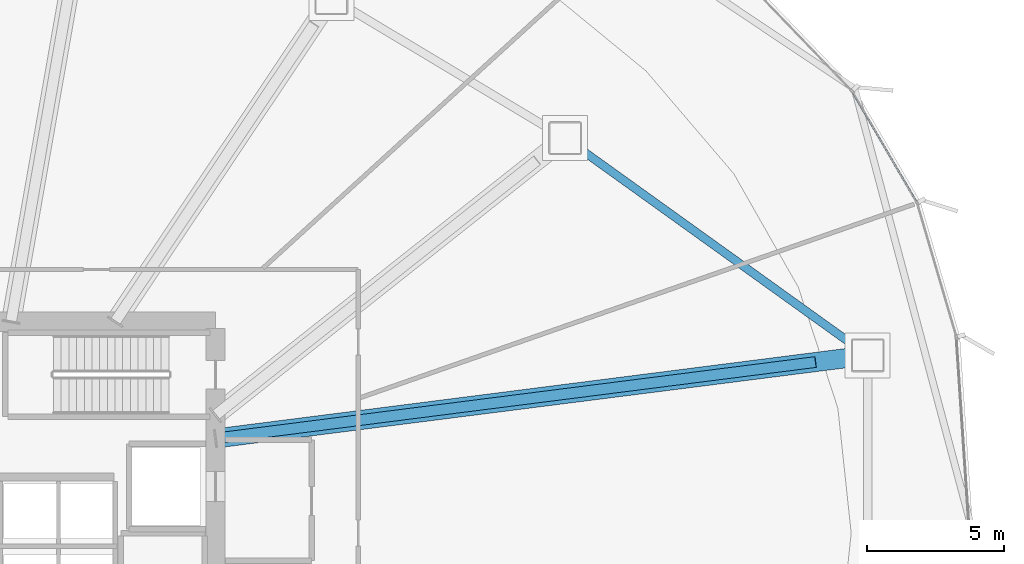
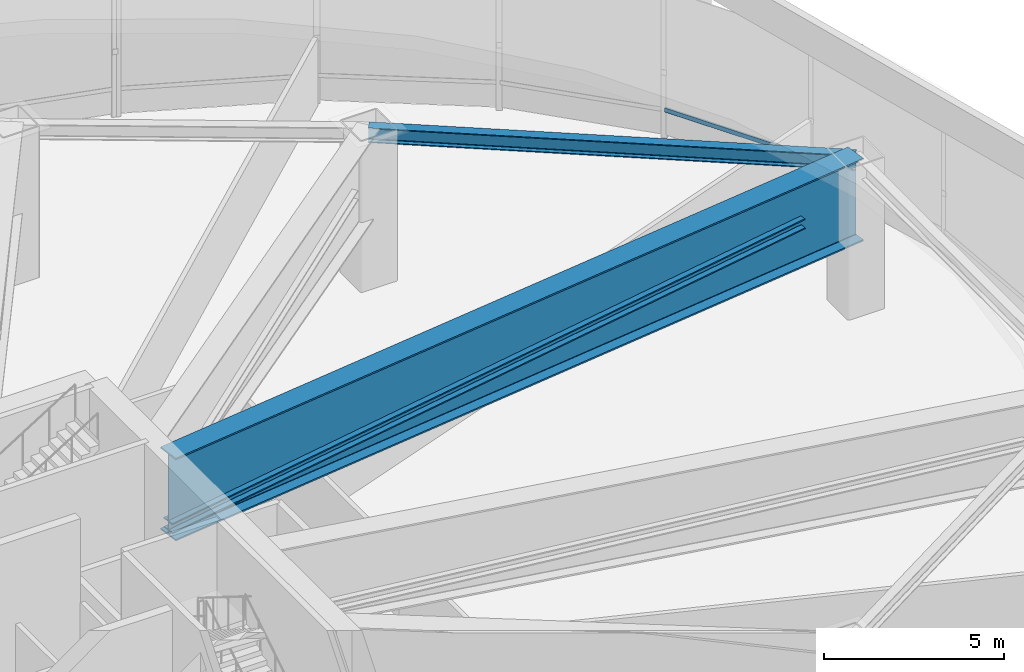
# One storey, part 22 of 36: 2 beams, 2 members, 1 element without a shape of its own.
"""IFC4 building model written with IfcOpenShell, lengths in metres."""

from ifc_helpers import new_model, si_unit, direction, frame, origin, origin_2d, place, context, subcontext, project, spatial, hollow_rectangle, i_section, extrude, source, transform, mapped, material, layer, layer_set, material_profile, profile_set, type_object, element, aggregate, save


model = new_model("IFC4")

# Units and contexts
model_context = context("Model", 3, precision=1e-05, world=origin(), true_north=direction((0.0, 1.0)))
body_context = subcontext(model_context, "Body", "Model", "MODEL_VIEW")
ifc_project = project(units=[si_unit("LENGTHUNIT", "METRE"), si_unit("AREAUNIT", "SQUARE_METRE"), si_unit("VOLUMEUNIT", "CUBIC_METRE"), si_unit("PLANEANGLEUNIT", "RADIAN"), si_unit("MASSUNIT", "GRAM", prefix="KILO"), si_unit("THERMODYNAMICTEMPERATUREUNIT", "KELVIN")], contexts=[model_context])

# Site, building, storey
site_placement = place(None, origin())
site = spatial("IfcSite", under=ifc_project, at=site_placement, CompositionType="ELEMENT")
building_placement = place(site_placement, origin())
building = spatial("IfcBuilding", under=site, at=building_placement, Name="Kethvar Cultural Tower", CompositionType="ELEMENT")
storey_placement = place(building_placement, frame((0.0, 0.0, 24.0)))
storey = spatial("IfcBuildingStorey", under=building, at=storey_placement, Name="L05", CompositionType="ELEMENT", Elevation=24.0)

# Beams
ifc_material_1 = material(Name="Steel S355J2", Category="steel")
ifc_material_profile_1 = material_profile(ifc_material_1, i_section(OverallWidth=0.300048828125, OverallDepth=0.5, WebThickness=0.014404296875, FlangeThickness=0.028076171875, FilletRadius=0.027099609375, at=origin_2d()), Name="Steel S355J2 — HEB500")
ifc_profile_set_1 = profile_set([ifc_material_profile_1], Name="Steel S355J2 — HEB500")
beam_type_1 = type_object("IfcBeamType", Name="BM-SP500", PredefinedType="SPANDREL", material=ifc_profile_set_1)
shared_shape_1 = source(origin(), body_context, "Body", "SweptSolid", [
    extrude(i_section(OverallWidth=0.300048828125, OverallDepth=0.5, WebThickness=0.014404296875, FlangeThickness=0.028076171875, FilletRadius=0.027099609375, at=origin_2d()), origin(), (0.0, 0.0, 1.0), 13.5712890625),
])
beam_1_placement = place(storey_placement, frame((79.362060546875, 34.277099609375, 4.865966796875), z_axis=(-0.812419874207, 0.583072849645, 0.0), x_axis=(-0.583072849645, -0.812419874207, 0.0)))
element("IfcBeam", 1, at=beam_1_placement, inside=storey, type_object=beam_type_1, Name="L05 Podium Ring Beam 01", PredefinedType="SPANDREL", context=body_context, shape_type="MappedRepresentation", body=[
    mapped(shared_shape_1, transform((0.0, 0.0, 0.0), scale=1.0)),
])
ifc_material_2 = material(Name="Steel S460M", Category="steel")
ifc_material_profile_2 = material_profile(ifc_material_2, i_section(OverallWidth=0.699951171875, OverallDepth=2.800048828125, WebThickness=0.031982421875, FlangeThickness=0.050048828125, FilletRadius=0.02392578125, at=origin_2d()), Name="Steel S460M — PG2800x700x50x32")
ifc_profile_set_2 = profile_set([ifc_material_profile_2], Name="Steel S460M — PG2800x700x50x32")
beam_type_2 = type_object("IfcBeamType", Name="BM-TR2800", PredefinedType="BEAM", material=ifc_profile_set_2)
shared_shape_2 = source(origin(), body_context, "Body", "SweptSolid", [
    extrude(i_section(OverallWidth=0.699951171875, OverallDepth=2.800048828125, WebThickness=0.031982421875, FlangeThickness=0.050048828125, FilletRadius=0.02392578125, at=origin_2d()), origin(), (0.0, 0.0, 1.0), 23.9541015625),
])
beam_2_placement = place(storey_placement, frame((55.60009765625, 31.25, 3.716064453125), z_axis=(0.991983004647, 0.126371351546, 0.0), x_axis=(-0.126371351546, 0.991983004647, 0.0)))
element("IfcBeam", 2, at=beam_2_placement, inside=storey, type_object=beam_type_2, Name="L05 Composite Transfer Girder TG-01", PredefinedType="BEAM", context=body_context, shape_type="MappedRepresentation", body=[
    mapped(shared_shape_2, transform((0.0, 0.0, 0.0), scale=1.0)),
])

# Member
ifc_material_profile_3 = material_profile(ifc_material_2, i_section(OverallWidth=0.39306640625, OverallDepth=0.345947265625, WebThickness=0.0244140625, FlangeThickness=0.03759765625, FilletRadius=0.014892578125, at=origin_2d()), Name="Steel S460M — HD400x509")
ifc_profile_set_3 = profile_set([ifc_material_profile_3], Name="Steel S460M — HD400x509")
member_type_1 = type_object("IfcMemberType", Name="MB-TR-DIAG", PredefinedType="BRACE", material=ifc_profile_set_3)
shared_shape_3 = source(origin(), body_context, "Body", "SweptSolid", [
    extrude(i_section(OverallWidth=0.39306640625, OverallDepth=0.345947265625, WebThickness=0.0244140625, FlangeThickness=0.03759765625, FilletRadius=0.014892578125, at=origin_2d()), origin(), (0.0, 0.0, 1.0), 22.0595703125),
])
member_1_placement = place(storey_placement, frame((55.60009765625, 31.25, 2.64990234375), z_axis=(0.991002376025, 0.126245090105, 0.044457484611), x_axis=(-0.126370035035, 0.99198317236, 0.0)))
element("IfcMember", 3, at=member_1_placement, inside=storey, type_object=member_type_1, Name="L05 Transfer Truss Diagonal TD-01", PredefinedType="BRACE", context=body_context, shape_type="MappedRepresentation", body=[
    mapped(shared_shape_3, transform((0.0, 0.0, 0.0), scale=1.0)),
])

# Curtain wall, member
ifc_material_3 = material(Name="Aluminium 6063-T6", Category="aluminium")
ifc_layer = layer(ifc_material_3, 0.179931640625, Name="Aluminium 6063-T6", Category="aluminium")
ifc_layer_set = layer_set([ifc_layer], Name="Aluminium 6063-T6 (180 mm)")
curtain_wall_type = type_object("IfcCurtainWallType", Name="CW-SYS-01-POD", PredefinedType="NOTDEFINED", material=ifc_layer_set)
curtain_wall_placement = place(storey_placement, origin())
curtain_wall = element("IfcCurtainWall", 4, at=curtain_wall_placement, inside=storey, type_object=curtain_wall_type, Name="L05 Curtain Wall Run 01", PredefinedType="NOTDEFINED")
ifc_material_profile_4 = material_profile(ifc_material_3, hollow_rectangle(XDim=0.06005859375, YDim=0.139892578125, WallThickness=0.0048828125, at=origin_2d()), Name="Aluminium 6063-T6 — RHS140x60x5")
ifc_profile_set_4 = profile_set([ifc_material_profile_4], Name="Aluminium 6063-T6 — RHS140x60x5")
member_type_2 = type_object("IfcMemberType", Name="CW-SYS-01-POD-TRN", PredefinedType="USERDEFINED", material=ifc_profile_set_4)
shared_shape_4 = source(origin(), body_context, "Body", "SweptSolid", [
    extrude(hollow_rectangle(XDim=0.06005859375, YDim=0.139892578125, WallThickness=0.0048828125, at=origin_2d()), origin(), (0.0, 0.0, 1.0), 4.639892578125),
])
member_2_placement = place(storey_placement, frame((81.135498046875, 39.872802734375, 0.949951171875), z_axis=(-0.503504560489, 0.863992568004, 0.0), x_axis=(-0.863992568004, -0.503504560489, 0.0)))
member_2 = element("IfcMember", 5, at=member_2_placement, type_object=member_type_2, Name="CW-L05-R01 Transom 3", ObjectType="TRANSOM", PredefinedType="USERDEFINED", context=body_context, shape_type="MappedRepresentation", body=[
    mapped(shared_shape_4, transform((0.0, 0.0, 0.0), scale=1.0)),
])
aggregate(curtain_wall, [member_2])

save(model, "model.ifc")
